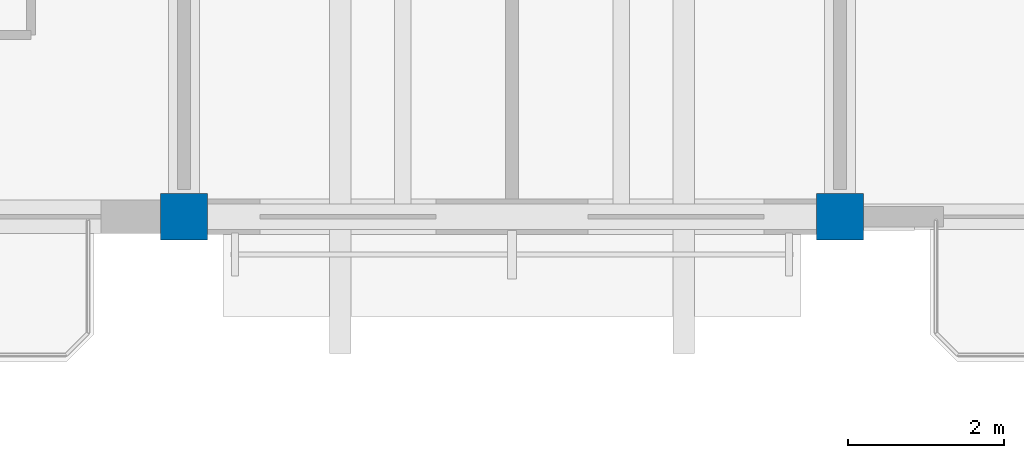
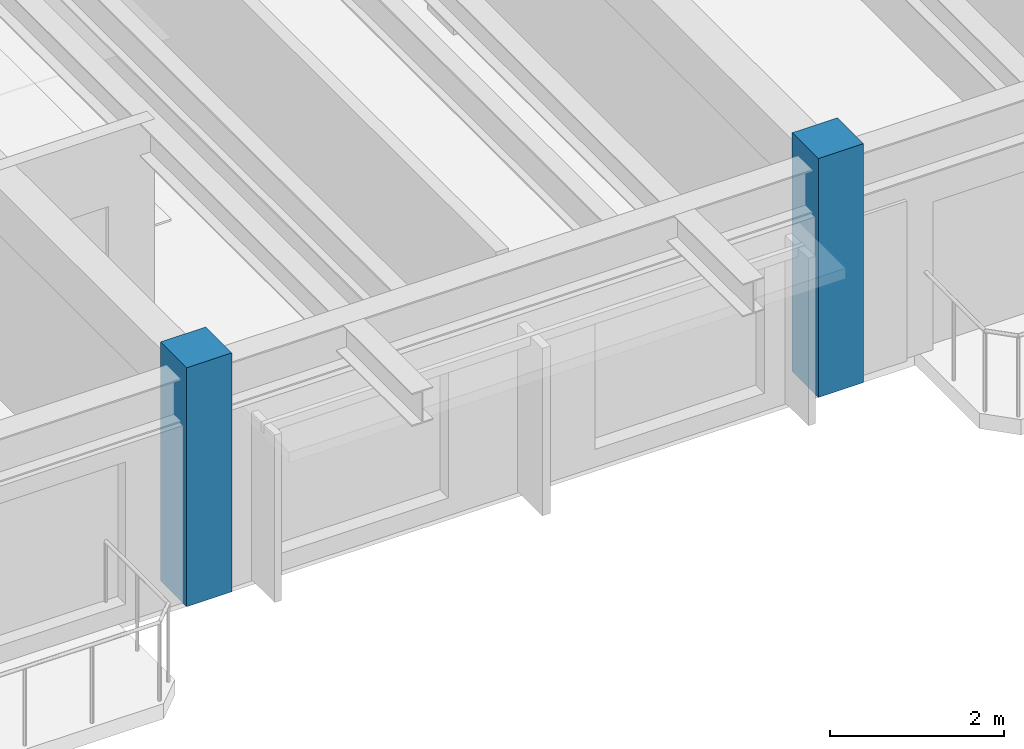
# One storey, part 2 of 22: 2 columns.
"""IFC4 building model written with IfcOpenShell, lengths in metres."""

from ifc_helpers import new_model, si_unit, direction, frame, origin, origin_2d, place, context, subcontext, project, spatial, rectangle, extrude, material, material_profile, profile_set, type_object, element, save


model = new_model("IFC4")

# Units and contexts
model_context = context("Model", 3, precision=1e-05, world=origin(), true_north=direction((0.0, 1.0)))
body_context = subcontext(model_context, "Body", "Model", "MODEL_VIEW")
ifc_project = project(units=[si_unit("LENGTHUNIT", "METRE"), si_unit("AREAUNIT", "SQUARE_METRE"), si_unit("VOLUMEUNIT", "CUBIC_METRE"), si_unit("PLANEANGLEUNIT", "RADIAN"), si_unit("MASSUNIT", "GRAM", prefix="KILO")], contexts=[model_context])

# Site, building, storey
site_placement = place(None, origin())
site = spatial("IfcSite", under=ifc_project, at=site_placement, CompositionType="ELEMENT")
building_placement = place(site_placement, origin())
building = spatial("IfcBuilding", under=site, at=building_placement, Name="Cumbredor Promenade Congress Hotel", CompositionType="ELEMENT")
storey_placement = place(building_placement, frame((0.0, 0.0, 28.56005859375)))
storey = spatial("IfcBuildingStorey", under=building, at=storey_placement, Name="L08", CompositionType="ELEMENT", Elevation=28.56005859375)

# Columns
ifc_material = material(Name="Concrete C40/50", Category="concrete")
ifc_material_profile = material_profile(ifc_material, rectangle(XDim=0.60009765625, YDim=0.60009765625, at=origin_2d()), Name="RC 600x600")
ifc_profile_set = profile_set([ifc_material_profile], Name="Concrete C40/50")
column_type = type_object("IfcColumnType", Name="COL-RC-600", PredefinedType="COLUMN", material=ifc_profile_set)
for number, where, z_axis, x_axis, name in (
    (1, (50.39990234375, 92.39990234375, 0.0), (0.0, 0.0, 1.0), (1.0, 0.0, 0.0), "L08 Structural Column 021"),
    (2, (58.800048828125, 92.39990234375, 0.0), (0.0, 0.0, 1.0), (1.0, 0.0, 0.0), "L08 Structural Column 025"),
):
    element("IfcColumn", number, at=place(storey_placement, frame(where, z_axis=z_axis, x_axis=x_axis)), inside=storey, type_object=column_type, Name=name, PredefinedType="COLUMN", context=body_context, shape_type="SweptSolid", body=[
        extrude(rectangle(XDim=0.60009765625, YDim=0.60009765625, at=origin_2d()), origin(), (0.0, 0.0, 1.0), 3.35986328125),
    ])

save(model, "model.ifc")
